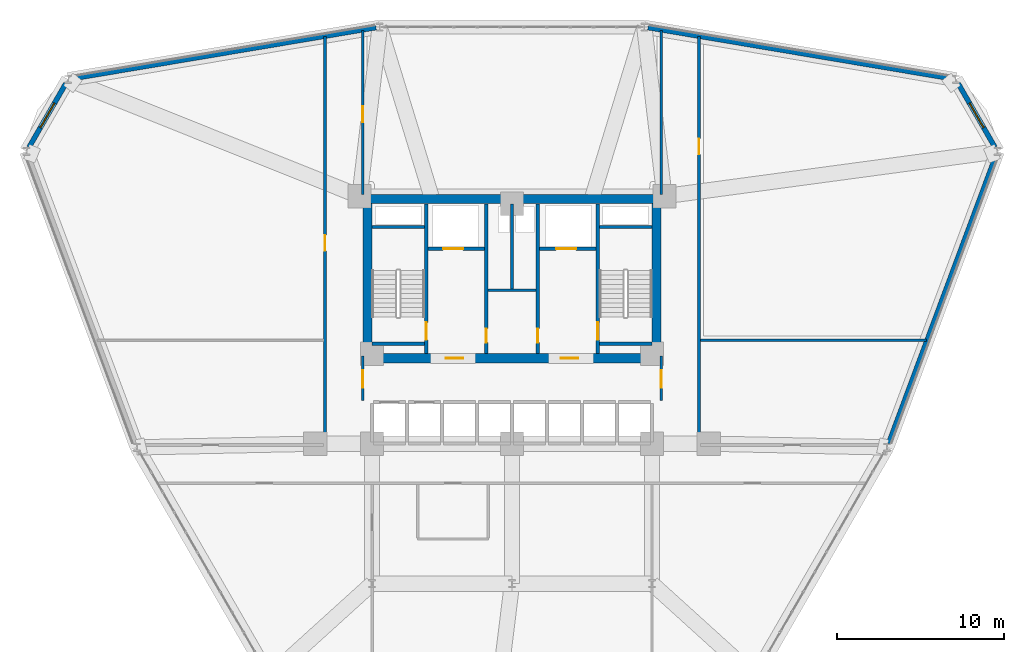
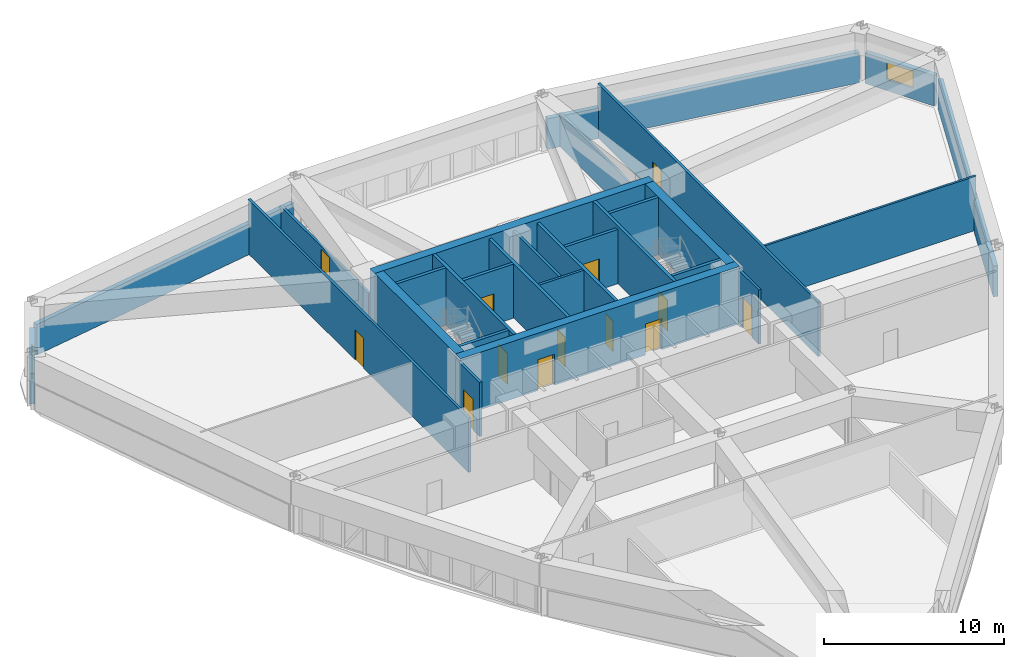
# One storey, part 16 of 20: 28 walls, 13 doors, 2 windows, 15 openings.
"""IFC4 building model written with IfcOpenShell, lengths in metres."""

import ifcopenshell
import ifcopenshell.guid

model = None  # the IFC model being written
_history = None  # IfcOwnerHistory: only IFC2X3 demands one
_inside = {}  # id of a spatial element -> (the spatial element, [elements in it])
_under = {}  # id of a project, library or spatial element -> (it, [spatial elements below it])
_declared = {}  # id of a project -> (the project, [libraries it declares])
_typed = {}  # id of a type object -> (the type object, [elements of that type])
_made_of = {}  # id of a material, layer set ... -> (it, [elements and type objects made of it])


def new_model(schema):
    """Start an empty IFC model of exactly this schema.

    Asked for "IFC4X3", IfcOpenShell would pick the latest addendum, in which some entities
    have other attributes; the version numbers below select the first issue.
    IFC2X3 requires an IfcOwnerHistory on every rooted entity: one is made here for all.
    """
    global model, _history
    if schema == "IFC4X3":
        model = ifcopenshell.file(schema_version=(4, 3, 0, 0))
    else:
        model = ifcopenshell.file(schema=schema)
    _inside.clear()
    _under.clear()
    _declared.clear()
    _typed.clear()
    _made_of.clear()
    _history = None
    if model.schema == "IFC2X3":
        org = make("IfcOrganization", Name="unknown")
        user = make(
            "IfcPersonAndOrganization",
            ThePerson=make("IfcPerson", FamilyName="unknown"),
            TheOrganization=org,
        )
        app = make(
            "IfcApplication",
            ApplicationDeveloper=org,
            Version="unknown",
            ApplicationFullName="unknown",
            ApplicationIdentifier="unknown",
        )
        _history = make(
            "IfcOwnerHistory",
            OwningUser=user,
            OwningApplication=app,
            ChangeAction="ADDED",
            CreationDate=0,
        )
    return model


def make(cls, **values):
    """One entity of the class cls with the attributes given. An attribute that is None is left unset."""
    return model.create_entity(
        cls, **{name: value for name, value in values.items() if value is not None}
    )


def rooted(cls, **values):
    """An entity with a GlobalId (a new one), such as an element, a storey or a relation."""
    return make(cls, GlobalId=ifcopenshell.guid.new(), OwnerHistory=_history, **values)


def si_unit(unit_type, name, prefix=None):
    """IfcSIUnit, for example si_unit("LENGTHUNIT", "METRE", prefix="MILLI")."""
    return make("IfcSIUnit", UnitType=unit_type, Prefix=prefix, Name=name)


def derived_unit(unit_type, elements):
    """IfcDerivedUnit: a product of units, each with its exponent."""
    return make(
        "IfcDerivedUnit",
        Elements=[
            make("IfcDerivedUnitElement", Unit=unit, Exponent=power)
            for unit, power in elements
        ],
        UnitType=unit_type,
    )


def assignment(units):
    """IfcUnitAssignment: the units of a project."""
    return None if units is None else make("IfcUnitAssignment", Units=units)


def point(xyz):
    """IfcCartesianPoint."""
    return None if xyz is None else make("IfcCartesianPoint", Coordinates=xyz)


def direction(xyz):
    """IfcDirection."""
    return None if xyz is None else make("IfcDirection", DirectionRatios=xyz)


def frame(location, z_axis=None, x_axis=None):
    """IfcAxis2Placement3D, a coordinate frame: its origin and axes. An axis left out is left unset."""
    return make(
        "IfcAxis2Placement3D",
        Location=point(location),
        Axis=direction(z_axis),
        RefDirection=direction(x_axis),
    )


def frame_2d(location, x_axis=None):
    """IfcAxis2Placement2D, a coordinate frame in the plane: its origin and x axis."""
    return make(
        "IfcAxis2Placement2D", Location=point(location), RefDirection=direction(x_axis)
    )


def origin():
    """The frame at (0, 0, 0) with its axes left unset."""
    return frame((0.0, 0.0, 0.0))


def place(relative_to, where):
    """IfcLocalPlacement: puts the frame where relative to a parent placement (None: the world)."""
    return make(
        "IfcLocalPlacement", PlacementRelTo=relative_to, RelativePlacement=where
    )


def context(
    kind, dimensions, precision=None, world=None, true_north=None, identifier=None
):
    """IfcGeometricRepresentationContext, for example the 3D "Model" context."""
    return make(
        "IfcGeometricRepresentationContext",
        ContextIdentifier=identifier,
        ContextType=kind,
        CoordinateSpaceDimension=dimensions,
        Precision=precision,
        WorldCoordinateSystem=world,
        TrueNorth=true_north,
    )


def subcontext(parent, identifier, kind, view, scale=None):
    """IfcGeometricRepresentationSubContext, for example "Body" below "Model"."""
    return make(
        "IfcGeometricRepresentationSubContext",
        ContextIdentifier=identifier,
        ContextType=kind,
        ParentContext=parent,
        TargetScale=scale,
        TargetView=view,
    )


def project(units=None, contexts=None):
    """IfcProject with its units and contexts."""
    return rooted(
        "IfcProject",
        Name="project",
        RepresentationContexts=contexts,
        UnitsInContext=assignment(units),
    )


def spatial(cls, under=None, at=None, **own):
    """A site, building, storey or space (cls), placed at a placement, below another one or the project."""
    s = rooted(cls, ObjectPlacement=at, **own)
    if under is not None:
        _under.setdefault(under.id(), (under, []))[1].append(s)
    return s


def profile(cls, at=None, kind="AREA", **sizes):
    """A parametric profile (cls). Its sizes go by their IFC names, for example OverallWidth=200.0."""
    return make(cls, ProfileType=kind, Position=at, **sizes)


def rectangle(**sizes):
    """IfcRectangleProfileDef."""
    return profile("IfcRectangleProfileDef", **sizes)


def extrude(swept, where, along, depth):
    """IfcExtrudedAreaSolid: the profile swept, set in the frame where, extruded along a direction by depth."""
    return make(
        "IfcExtrudedAreaSolid",
        SweptArea=swept,
        Position=where,
        ExtrudedDirection=direction(along),
        Depth=depth,
    )


def shape(context_of_items, identifier, shape_type, items):
    """IfcShapeRepresentation: the items that make up one representation, for example the "Body"."""
    return make(
        "IfcShapeRepresentation",
        ContextOfItems=context_of_items,
        RepresentationIdentifier=identifier,
        RepresentationType=shape_type,
        Items=items,
    )


def material(Name=None, Category=None):
    """IfcMaterial."""
    return make("IfcMaterial", Name=Name, Category=Category)


def layer(
    of_material, thickness, ventilated=None, Name=None, Category=None, Priority=None
):
    """IfcMaterialLayer: one layer of a wall or slab, of a material (None: an air gap)."""
    return make(
        "IfcMaterialLayer",
        Material=of_material,
        LayerThickness=thickness,
        IsVentilated=ventilated,
        Name=Name,
        Category=Category,
        Priority=Priority,
    )


def layer_set(layers, Name=None):
    """IfcMaterialLayerSet."""
    return make("IfcMaterialLayerSet", MaterialLayers=layers, LayerSetName=Name)


def made_of(thing, what):
    """Note that an element or type object is made of a material, layer set ...; save() writes the relation."""
    if what is not None:
        _made_of.setdefault(what.id(), (what, []))[1].append(thing)
    return thing


def type_object(cls, material=None, **own):
    """A type object (cls), such as IfcWallType, which elements share."""
    return made_of(rooted(cls, **own), material)


def element(
    cls,
    number,
    at=None,
    inside=None,
    cuts=None,
    type_object=None,
    material=None,
    context=None,
    identifier="Body",
    shape_type=None,
    held_by="IfcProductDefinitionShape",
    body=None,
    shapes=None,
    **own,
):
    """One element of the class cls, such as IfcWall. Its Tag is "e" and its number.

    at: its placement. inside: the storey or other place that contains it. cuts: it is an
    opening in that element (IfcRelVoidsElement). A single representation is given by context,
    identifier, shape_type and body (its items); several are given by shapes. held_by: the class
    of the entity that holds the representations. save() writes the other relations.
    """
    e = rooted(cls, Tag="e%d" % number, ObjectPlacement=at, **own)
    if body is not None:
        shapes = [shape(context, identifier, shape_type, body)]
    if shapes is not None:
        e.Representation = make(held_by, Representations=shapes)
    if inside is not None:
        _inside.setdefault(inside.id(), (inside, []))[1].append(e)
    if cuts is not None:
        rooted(
            "IfcRelVoidsElement", RelatingBuildingElement=cuts, RelatedOpeningElement=e
        )
    if type_object is not None:
        _typed.setdefault(type_object.id(), (type_object, []))[1].append(e)
    return made_of(e, material)


def fill(opening, filler):
    """IfcRelFillsElement: the door or window that sits in an opening."""
    return rooted(
        "IfcRelFillsElement",
        RelatingOpeningElement=opening,
        RelatedBuildingElement=filler,
    )


def aggregate(whole, parts):
    """IfcRelAggregates: a whole, such as a stair, and the parts it consists of."""
    return rooted("IfcRelAggregates", RelatingObject=whole, RelatedObjects=parts)


def save(model, path):
    """Write the relations noted so far, then the file.

    IfcRelAggregates (storeys below a building ...), IfcRelContainedInSpatialStructure (elements
    in a storey), IfcRelDefinesByType, IfcRelAssociatesMaterial and IfcRelDeclares: one each for
    every whole, place, type object, material and project.
    """
    for whole, parts in _under.values():
        aggregate(whole, parts)
    for where, things in _inside.values():
        rooted(
            "IfcRelContainedInSpatialStructure",
            RelatedElements=things,
            RelatingStructure=where,
        )
    for kind, things in _typed.values():
        rooted("IfcRelDefinesByType", RelatedObjects=things, RelatingType=kind)
    for what, things in _made_of.values():
        rooted("IfcRelAssociatesMaterial", RelatedObjects=things, RelatingMaterial=what)
    for by, libraries in _declared.values():
        rooted("IfcRelDeclares", RelatingContext=by, RelatedDefinitions=libraries)
    model.write(path)


model = new_model("IFC4")

# Units and contexts
model_context = context("Model", 3, precision=1e-05, world=origin(), true_north=direction((0.0, 1.0)))
body_context = subcontext(model_context, "Body", "Model", "MODEL_VIEW")
ifc_project = project(units=[si_unit("LENGTHUNIT", "METRE"), si_unit("AREAUNIT", "SQUARE_METRE"), si_unit("VOLUMEUNIT", "CUBIC_METRE"), si_unit("PLANEANGLEUNIT", "RADIAN"), si_unit("MASSUNIT", "GRAM", prefix="KILO"), derived_unit("THERMALTRANSMITTANCEUNIT", [(si_unit("POWERUNIT", "WATT"), 1), (si_unit("LENGTHUNIT", "METRE"), -2), (si_unit("THERMODYNAMICTEMPERATUREUNIT", "KELVIN"), -1)])], contexts=[model_context])

# Site, building, storey
site_placement = place(None, origin())
site = spatial("IfcSite", under=ifc_project, at=site_placement, CompositionType="ELEMENT")
building_placement = place(site_placement, origin())
building = spatial("IfcBuilding", under=site, at=building_placement, Name="Korsvarv Bourse and Concert Hall", CompositionType="ELEMENT")
storey_placement = place(building_placement, frame((0.0, 0.0, 43.5)))
storey = spatial("IfcBuildingStorey", under=building, at=storey_placement, Name="L10", CompositionType="ELEMENT", Elevation=43.5)

# Wall, opening, door
ifc_material_1 = material(Name="Concrete C50/60", Category="concrete")
ifc_layer_1 = layer(ifc_material_1, 0.3798828125)
ifc_layer_set_1 = layer_set([ifc_layer_1], Name="Concrete C50/60")
wall_type_1 = type_object("IfcWallType", Name="WL-CORE-380", PredefinedType="SHEAR", material=ifc_layer_set_1)
wall_1_placement = place(storey_placement, frame((30.860107421875, 37.81005859375, 0.0), z_axis=(0.0, 0.0, 1.0), x_axis=(0.0, 1.0, 0.0)))
wall_1 = element("IfcWall", 1, at=wall_1_placement, inside=storey, type_object=wall_type_1, Name="L10 stair shaft structural wall W-L10-ST1-E", PredefinedType="SHEAR", context=body_context, shape_type="SweptSolid", body=[
    extrude(rectangle(XDim=8.97998046875, YDim=0.199951171875, at=frame_2d((4.489990234375, 0.0))), origin(), (0.0, 0.0, 1.0), 3.89990234375),
])
opening_1_placement = place(wall_1_placement, frame((0.820068359375, 0.0, 0.0)))
opening_1 = element("IfcOpeningElement", 2, at=opening_1_placement, cuts=wall_1, Name="Opening D-01", PredefinedType="OPENING", context=body_context, shape_type="SweptSolid", body=[
    extrude(rectangle(XDim=1.050048828125, YDim=2.10009765625, at=frame_2d((0.52490234375, 1.050048828125))), frame((0.0, 0.10986328125, 0.0), z_axis=(0.0, -1.0, 0.0), x_axis=(1.0, 0.0, 0.0)), (0.0, 0.0, 1.0), 0.219970703125),
])
ifc_material_2 = material(Name="Steel S355 fire door", Category="steel")
door_type_1 = type_object("IfcDoorType", Name="DR-FD60", OperationType="NOTDEFINED", PredefinedType="DOOR", material=ifc_material_2)
door_1_placement = place(opening_1_placement, origin())
door_1 = element("IfcDoor", 3, at=door_1_placement, inside=storey, type_object=door_type_1, Name="L10 interior door DR-L10-ST1", OperationType="SINGLE_SWING_RIGHT", OverallHeight=2.10009765625, OverallWidth=1.050048828125, PredefinedType="DOOR", context=body_context, shape_type="SweptSolid", body=[
    extrude(rectangle(XDim=1.050048828125, YDim=2.10009765625, at=frame_2d((0.52490234375, 1.050048828125))), frame((0.0, 0.02490234375, 0.0), z_axis=(0.0, -1.0, 0.0), x_axis=(1.0, 0.0, 0.0)), (0.0, 0.0, 1.0), 0.050048828125),
])
fill(opening_1, door_1)

# Walls
for number, where, z_axis, x_axis, name in (
    (4, (27.610107421875, 45.39990234375, 0.0), (0.0, 0.0, 1.0), (1.0, 0.0, 0.0), "L10 stair shaft structural wall W-L10-ST1-N"),
    (5, (27.610107421875, 38.39990234375, 0.0), (0.0, 0.0, 1.0), (1.0, 0.0, 0.0), "L10 stair shaft structural wall W-L10-ST1-S"),
):
    element("IfcWall", number, at=place(storey_placement, frame(where, z_axis=z_axis, x_axis=x_axis)), inside=storey, type_object=wall_type_1, Name=name, PredefinedType="SHEAR", context=body_context, shape_type="SweptSolid", body=[
        extrude(rectangle(XDim=3.139892578125, YDim=0.199951171875, at=frame_2d((1.56982421875, 0.0))), origin(), (0.0, 0.0, 1.0), 3.89990234375),
    ])

# Wall, opening, door
wall_2_placement = place(storey_placement, frame((41.139892578125, 37.81005859375, 0.0), z_axis=(0.0, 0.0, 1.0), x_axis=(0.0, 1.0, 0.0)))
wall_2 = element("IfcWall", 6, at=wall_2_placement, inside=storey, type_object=wall_type_1, Name="L10 stair shaft structural wall W-L10-ST2-W", PredefinedType="SHEAR", context=body_context, shape_type="SweptSolid", body=[
    extrude(rectangle(XDim=8.97998046875, YDim=0.199951171875, at=frame_2d((4.489990234375, 0.0))), origin(), (0.0, 0.0, 1.0), 3.89990234375),
])
opening_2_placement = place(wall_2_placement, frame((0.820068359375, 0.0, 0.0)))
opening_2 = element("IfcOpeningElement", 7, at=opening_2_placement, cuts=wall_2, Name="Opening D-01", PredefinedType="OPENING", context=body_context, shape_type="SweptSolid", body=[
    extrude(rectangle(XDim=1.050048828125, YDim=2.10009765625, at=frame_2d((0.52490234375, 1.050048828125))), frame((0.0, 0.10986328125, 0.0), z_axis=(0.0, -1.0, 0.0), x_axis=(1.0, 0.0, 0.0)), (0.0, 0.0, 1.0), 0.219970703125),
])
door_2_placement = place(opening_2_placement, frame((1.050048828125, 0.0, 0.0), z_axis=(0.0, 0.0, 1.0), x_axis=(-1.0, 0.0, 0.0)))
door_2 = element("IfcDoor", 8, at=door_2_placement, inside=storey, type_object=door_type_1, Name="L10 interior door DR-L10-ST2", OperationType="SINGLE_SWING_LEFT", OverallHeight=2.10009765625, OverallWidth=1.050048828125, PredefinedType="DOOR", context=body_context, shape_type="SweptSolid", body=[
    extrude(rectangle(XDim=1.050048828125, YDim=2.10009765625, at=frame_2d((0.52490234375, 1.050048828125))), frame((0.0, 0.02490234375, 0.0), z_axis=(0.0, -1.0, 0.0), x_axis=(1.0, 0.0, 0.0)), (0.0, 0.0, 1.0), 0.050048828125),
])
fill(opening_2, door_2)

# Walls
for number, where, z_axis, x_axis, name in (
    (9, (41.25, 45.39990234375, 0.0), (0.0, 0.0, 1.0), (1.0, 0.0, 0.0), "L10 stair shaft structural wall W-L10-ST2-N"),
    (10, (41.25, 38.39990234375, 0.0), (0.0, 0.0, 1.0), (1.0, 0.0, 0.0), "L10 stair shaft structural wall W-L10-ST2-S"),
):
    element("IfcWall", number, at=place(storey_placement, frame(where, z_axis=z_axis, x_axis=x_axis)), inside=storey, type_object=wall_type_1, Name=name, PredefinedType="SHEAR", context=body_context, shape_type="SweptSolid", body=[
        extrude(rectangle(XDim=3.139892578125, YDim=0.199951171875, at=frame_2d((1.56982421875, 0.0))), origin(), (0.0, 0.0, 1.0), 3.89990234375),
    ])
ifc_material_3 = material(Name="Concrete C60/75", Category="concrete")
ifc_layer_2 = layer(ifc_material_3, 0.550048828125)
ifc_layer_set_2 = layer_set([ifc_layer_2], Name="Concrete C60/75")
wall_type_2 = type_object("IfcWallType", Name="WL-CORE-550", PredefinedType="SHEAR", material=ifc_layer_set_2)
wall_3_placement = place(storey_placement, frame((27.050048828125, 47.074951171875, 0.0), z_axis=(0.0, 0.0, 1.0), x_axis=(1.0, 0.0, 0.0)))
element("IfcWall", 11, at=wall_3_placement, inside=storey, type_object=wall_type_2, Name="L10 North Core Shear Wall", PredefinedType="SHEAR", context=body_context, shape_type="SweptSolid", body=[
    extrude(rectangle(XDim=17.89990234375, YDim=0.550048828125, at=frame_2d((8.949951171875, 0.0))), origin(), (0.0, 0.0, 1.0), 3.89990234375),
])

# Wall, openings, doors
wall_4_placement = place(storey_placement, frame((27.050048828125, 37.52490234375, 0.0), z_axis=(0.0, 0.0, 1.0), x_axis=(1.0, 0.0, 0.0)))
wall_4 = element("IfcWall", 12, at=wall_4_placement, inside=storey, type_object=wall_type_2, Name="L10 South Core Shear Wall", PredefinedType="SHEAR", context=body_context, shape_type="SweptSolid", body=[
    extrude(rectangle(XDim=17.89990234375, YDim=0.550048828125, at=frame_2d((8.949951171875, 0.0))), origin(), (0.0, 0.0, 1.0), 3.89990234375),
])
opening_3_placement = place(wall_4_placement, frame((4.97509765625, 0.0, 0.0)))
opening_3 = element("IfcOpeningElement", 13, at=opening_3_placement, cuts=wall_4, Name="Opening D-01", PredefinedType="OPENING", context=body_context, shape_type="SweptSolid", body=[
    extrude(rectangle(XDim=1.050048828125, YDim=2.10009765625, at=frame_2d((0.52490234375, 1.050048828125))), frame((0.0, 0.28515625, 0.0), z_axis=(0.0, -1.0, 0.0), x_axis=(1.0, 0.0, 0.0)), (0.0, 0.0, 1.0), 0.570068359375),
])
opening_4_placement = place(wall_4_placement, frame((11.875, 0.0, 0.0)))
opening_4 = element("IfcOpeningElement", 14, at=opening_4_placement, cuts=wall_4, Name="Opening D-01", PredefinedType="OPENING", context=body_context, shape_type="SweptSolid", body=[
    extrude(rectangle(XDim=1.050048828125, YDim=2.10009765625, at=frame_2d((0.52490234375, 1.050048828125))), frame((0.0, 0.28515625, 0.0), z_axis=(0.0, -1.0, 0.0), x_axis=(1.0, 0.0, 0.0)), (0.0, 0.0, 1.0), 0.570068359375),
])
door_3_placement = place(opening_3_placement, frame((1.050048828125, 0.0, 0.0), z_axis=(0.0, 0.0, 1.0), x_axis=(-1.0, 0.0, 0.0)))
door_3 = element("IfcDoor", 15, at=door_3_placement, inside=storey, type_object=door_type_1, Name="L10 firefighting lobby fire door DR-L10-FFLW", OperationType="SINGLE_SWING_RIGHT", OverallHeight=2.10009765625, OverallWidth=1.050048828125, PredefinedType="DOOR", context=body_context, shape_type="SweptSolid", body=[
    extrude(rectangle(XDim=1.050048828125, YDim=2.10009765625, at=frame_2d((0.52490234375, 1.050048828125))), frame((0.0, 0.02490234375, 0.0), z_axis=(0.0, -1.0, 0.0), x_axis=(1.0, 0.0, 0.0)), (0.0, 0.0, 1.0), 0.050048828125),
])
fill(opening_3, door_3)
door_4_placement = place(opening_4_placement, frame((1.050048828125, 0.0, 0.0), z_axis=(0.0, 0.0, 1.0), x_axis=(-1.0, 0.0, 0.0)))
door_4 = element("IfcDoor", 16, at=door_4_placement, inside=storey, type_object=door_type_1, Name="L10 firefighting lobby fire door DR-L10-FFLE", OperationType="SINGLE_SWING_LEFT", OverallHeight=2.10009765625, OverallWidth=1.050048828125, PredefinedType="DOOR", context=body_context, shape_type="SweptSolid", body=[
    extrude(rectangle(XDim=1.050048828125, YDim=2.10009765625, at=frame_2d((0.52490234375, 1.050048828125))), frame((0.0, 0.02490234375, 0.0), z_axis=(0.0, -1.0, 0.0), x_axis=(1.0, 0.0, 0.0)), (0.0, 0.0, 1.0), 0.050048828125),
])
fill(opening_4, door_4)

# Walls
for number, where, z_axis, x_axis, name in (
    (17, (27.324951171875, 37.800048828125, 0.0), (0.0, 0.0, 1.0), (0.0, 1.0, 0.0), "L10 West Core Shear Wall"),
    (18, (44.675048828125, 37.800048828125, 0.0), (0.0, 0.0, 1.0), (0.0, 1.0, 0.0), "L10 East Core Shear Wall"),
):
    element("IfcWall", number, at=place(storey_placement, frame(where, z_axis=z_axis, x_axis=x_axis)), inside=storey, type_object=wall_type_2, Name=name, PredefinedType="SHEAR", context=body_context, shape_type="SweptSolid", body=[
        extrude(rectangle(XDim=9.0, YDim=0.550048828125, at=frame_2d((4.5, 0.0))), origin(), (0.0, 0.0, 1.0), 3.89990234375),
    ])

# Wall, opening, window
ifc_material_4 = material(Name="Precast concrete C45/55 with terracotta rainscreen", Category="concrete")
ifc_layer_3 = layer(ifc_material_4, 0.300048828125)
ifc_layer_set_3 = layer_set([ifc_layer_3], Name="Precast concrete C45/55 with terracotta rainscreen")
wall_type_3 = type_object("IfcWallType", Name="WL-EXT-TC1", PredefinedType="SOLIDWALL", material=ifc_layer_set_3)
wall_5_placement = place(storey_placement, frame((64.990234375, 50.181640625, 0.0), z_axis=(0.0, 0.0, 1.0), x_axis=(-0.499994569991, 0.866028538779, 0.0)))
wall_5 = element("IfcWall", 19, at=wall_5_placement, inside=storey, type_object=wall_type_3, Name="L10 terracotta exterior wall EW-L10-B01", PredefinedType="SOLIDWALL", context=body_context, shape_type="SweptSolid", body=[
    extrude(rectangle(XDim=4.4267578125, YDim=0.300048828125, at=frame_2d((2.21337890625, 0.0))), origin(), (0.0, 0.0, 1.0), 2.080078125),
])
opening_5_placement = place(wall_5_placement, frame((1.36328125, 0.0, 0.75)))
opening_5 = element("IfcOpeningElement", 20, at=opening_5_placement, cuts=wall_5, Name="Opening W-06", PredefinedType="OPENING", context=body_context, shape_type="SweptSolid", body=[
    extrude(rectangle(XDim=1.699951171875, YDim=1.14990234375, at=frame_2d((0.85009765625, 0.574951171875))), frame((0.0, 0.16015625, 0.0), z_axis=(0.0, -1.0, 0.0), x_axis=(1.0, 0.0, 0.0)), (0.0, 0.0, 1.0), 0.320068359375),
])
ifc_material_5 = material(Name="Thermally broken aluminium frame with triple low-E glass", Category="glass")
window_type = type_object("IfcWindowType", Name="WIN-TW1-1700X1150", PartitioningType="SINGLE_PANEL", PredefinedType="WINDOW", material=ifc_material_5)
window_1_placement = place(opening_5_placement, origin())
window_1 = element("IfcWindow", 21, at=window_1_placement, inside=storey, type_object=window_type, Name="L10 punched facade window W-06", OverallHeight=1.14990234375, OverallWidth=1.699951171875, PartitioningType="SINGLE_PANEL", PredefinedType="WINDOW", context=body_context, shape_type="SweptSolid", body=[
    extrude(rectangle(XDim=1.699951171875, YDim=1.14990234375, at=frame_2d((0.85009765625, 0.574951171875))), frame((0.0, 0.030029296875, 0.0), z_axis=(0.0, -1.0, 0.0), x_axis=(1.0, 0.0, 0.0)), (0.0, 0.0, 1.0), 0.06005859375),
])
fill(opening_5, window_1)

wall_6_placement = place(storey_placement, frame((9.22314453125, 54.015380859375, 0.0), z_axis=(0.0, 0.0, 1.0), x_axis=(-0.499994569991, -0.866028538779, 0.0)))
wall_6 = element("IfcWall", 22, at=wall_6_placement, inside=storey, type_object=wall_type_3, Name="L10 terracotta exterior wall EW-L10-B05", PredefinedType="SOLIDWALL", context=body_context, shape_type="SweptSolid", body=[
    extrude(rectangle(XDim=4.4267578125, YDim=0.300048828125, at=frame_2d((2.21337890625, 0.0))), origin(), (0.0, 0.0, 1.0), 2.080078125),
])
opening_6_placement = place(wall_6_placement, frame((1.36328125, 0.0, 0.75)))
opening_6 = element("IfcOpeningElement", 23, at=opening_6_placement, cuts=wall_6, Name="Opening W-06", PredefinedType="OPENING", context=body_context, shape_type="SweptSolid", body=[
    extrude(rectangle(XDim=1.699951171875, YDim=1.14990234375, at=frame_2d((0.85009765625, 0.574951171875))), frame((0.0, 0.16015625, 0.0), z_axis=(0.0, -1.0, 0.0), x_axis=(1.0, 0.0, 0.0)), (0.0, 0.0, 1.0), 0.320068359375),
])
window_2_placement = place(opening_6_placement, origin())
window_2 = element("IfcWindow", 24, at=window_2_placement, inside=storey, type_object=window_type, Name="L10 punched facade window W-06", OverallHeight=1.14990234375, OverallWidth=1.699951171875, PartitioningType="SINGLE_PANEL", PredefinedType="WINDOW", context=body_context, shape_type="SweptSolid", body=[
    extrude(rectangle(XDim=1.699951171875, YDim=1.14990234375, at=frame_2d((0.85009765625, 0.574951171875))), frame((0.0, 0.030029296875, 0.0), z_axis=(0.0, -1.0, 0.0), x_axis=(1.0, 0.0, 0.0)), (0.0, 0.0, 1.0), 0.06005859375),
])
fill(opening_6, window_2)

# Walls
ifc_material_6 = material(Name="Precast concrete C45/55 with fluted terracotta pier", Category="concrete")
ifc_layer_4 = layer(ifc_material_6, 0.280029296875)
ifc_layer_set_4 = layer_set([ifc_layer_4], Name="Precast concrete C45/55 with fluted terracotta pier")
wall_type_4 = type_object("IfcWallType", Name="WL-EXT-TC2", PredefinedType="SOLIDWALL", material=ifc_layer_set_4)
for number, where, z_axis, x_axis, name in (
    (25, (62.420166015625, 54.2939453125, 0.0), (0.0, 0.0, 1.0), (-0.986153073874, 0.165837616025, 0.0), "L10 terracotta exterior wall EW-L10-B02"),
    (26, (27.841796875, 57.364990234375, 0.0), (0.0, 0.0, 1.0), (-0.986153073874, -0.165837616025, 0.0), "L10 terracotta exterior wall EW-L10-B04"),
):
    element("IfcWall", number, at=place(storey_placement, frame(where, z_axis=z_axis, x_axis=x_axis)), inside=storey, type_object=wall_type_4, Name=name, PredefinedType="SOLIDWALL", context=body_context, shape_type="SweptSolid", body=[
        extrude(rectangle(XDim=18.518310546875, YDim=0.280029296875, at=frame_2d((9.25927734375, 0.0))), origin(), (0.0, 0.0, 1.0), 2.080078125),
    ])
wall_7_placement = place(storey_placement, frame((58.59521484375, 32.41845703125, 0.0), z_axis=(0.0, 0.0, 1.0), x_axis=(0.349439969545, 0.936958754527, 0.0)))
element("IfcWall", 27, at=wall_7_placement, inside=storey, type_object=wall_type_4, Name="L10 terracotta exterior wall EW-L10-B12", PredefinedType="SOLIDWALL", context=body_context, shape_type="SweptSolid", body=[
    extrude(rectangle(XDim=18.44189453125, YDim=0.280029296875, at=frame_2d((9.220947265625, 0.0))), origin(), (0.0, 0.0, 1.0), 2.080078125),
])

# Wall, opening, door
ifc_material_7 = material(Name="Reinforced concrete blockwork C35/45 fire wall", Category="concrete")
ifc_layer_5 = layer(ifc_material_7, 0.199951171875)
ifc_layer_set_5 = layer_set([ifc_layer_5], Name="Reinforced concrete blockwork C35/45 fire wall")
wall_type_5 = type_object("IfcWallType", Name="WL-INT-EI120", PredefinedType="PARTITIONING", material=ifc_layer_set_5)
wall_8_placement = place(storey_placement, frame((30.969970703125, 44.10009765625, 0.0), z_axis=(0.0, 0.0, 1.0), x_axis=(1.0, 0.0, 0.0)))
wall_8 = element("IfcWall", 28, at=wall_8_placement, inside=storey, type_object=wall_type_5, Name="L10 interior partition wall W-L10-FF1-S", PredefinedType="PARTITIONING", context=body_context, shape_type="SweptSolid", body=[
    extrude(rectangle(XDim=3.380126953125, YDim=0.199951171875, at=frame_2d((1.68994140625, 0.0))), origin(), (0.0, 0.0, 1.0), 3.679931640625),
])
opening_7_placement = place(wall_8_placement, frame((0.89990234375, 0.0, 0.0)))
opening_7 = element("IfcOpeningElement", 29, at=opening_7_placement, cuts=wall_8, Name="Opening LD-1", PredefinedType="OPENING", context=body_context, shape_type="SweptSolid", body=[
    extrude(rectangle(XDim=1.199951171875, YDim=2.10009765625, at=frame_2d((0.60009765625, 1.050048828125))), frame((0.0, 0.10986328125, 0.0), z_axis=(0.0, -1.0, 0.0), x_axis=(1.0, 0.0, 0.0)), (0.0, 0.0, 1.0), 0.219970703125),
])
ifc_material_8 = material(Name="Stainless Steel S355 firefighting lift landing door", Category="steel")
door_type_2 = type_object("IfcDoorType", Name="DR-LIFT-FF", OperationType="DOUBLE_DOOR_SLIDING", PredefinedType="DOOR", material=ifc_material_8)
door_5_placement = place(opening_7_placement, origin())
door_5 = element("IfcDoor", 30, at=door_5_placement, inside=storey, type_object=door_type_2, Name="L10 lift sliding landing door LD-L10-FF1", OperationType="DOUBLE_DOOR_SLIDING", OverallHeight=2.10009765625, OverallWidth=1.199951171875, PredefinedType="DOOR", context=body_context, shape_type="SweptSolid", body=[
    extrude(rectangle(XDim=1.199951171875, YDim=2.10009765625, at=frame_2d((0.60009765625, 1.050048828125))), frame((0.0, 0.02490234375, 0.0), z_axis=(0.0, -1.0, 0.0), x_axis=(1.0, 0.0, 0.0)), (0.0, 0.0, 1.0), 0.050048828125),
])
fill(opening_7, door_5)

wall_9_placement = place(storey_placement, frame((37.64990234375, 44.10009765625, 0.0), z_axis=(0.0, 0.0, 1.0), x_axis=(1.0, 0.0, 0.0)))
wall_9 = element("IfcWall", 31, at=wall_9_placement, inside=storey, type_object=wall_type_5, Name="L10 interior partition wall W-L10-FF2-S", PredefinedType="PARTITIONING", context=body_context, shape_type="SweptSolid", body=[
    extrude(rectangle(XDim=3.380126953125, YDim=0.199951171875, at=frame_2d((1.68994140625, 0.0))), origin(), (0.0, 0.0, 1.0), 3.679931640625),
])
opening_8_placement = place(wall_9_placement, frame((1.0, 0.0, 0.0)))
opening_8 = element("IfcOpeningElement", 32, at=opening_8_placement, cuts=wall_9, Name="Opening LD-1", PredefinedType="OPENING", context=body_context, shape_type="SweptSolid", body=[
    extrude(rectangle(XDim=1.199951171875, YDim=2.10009765625, at=frame_2d((0.60009765625, 1.050048828125))), frame((0.0, 0.10986328125, 0.0), z_axis=(0.0, -1.0, 0.0), x_axis=(1.0, 0.0, 0.0)), (0.0, 0.0, 1.0), 0.219970703125),
])
door_6_placement = place(opening_8_placement, origin())
door_6 = element("IfcDoor", 33, at=door_6_placement, inside=storey, type_object=door_type_2, Name="L10 lift sliding landing door LD-L10-FF2", OperationType="DOUBLE_DOOR_SLIDING", OverallHeight=2.10009765625, OverallWidth=1.199951171875, PredefinedType="DOOR", context=body_context, shape_type="SweptSolid", body=[
    extrude(rectangle(XDim=1.199951171875, YDim=2.10009765625, at=frame_2d((0.60009765625, 1.050048828125))), frame((0.0, 0.02490234375, 0.0), z_axis=(0.0, -1.0, 0.0), x_axis=(1.0, 0.0, 0.0)), (0.0, 0.0, 1.0), 0.050048828125),
])
fill(opening_8, door_6)

wall_10_placement = place(storey_placement, frame((34.4599609375, 37.81005859375, 0.0), z_axis=(0.0, 0.0, 1.0), x_axis=(0.0, 1.0, 0.0)))
wall_10 = element("IfcWall", 34, at=wall_10_placement, inside=storey, type_object=wall_type_5, Name="L10 interior partition wall W-L10-CSB-W", PredefinedType="PARTITIONING", context=body_context, shape_type="SweptSolid", body=[
    extrude(rectangle(XDim=8.97998046875, YDim=0.199951171875, at=frame_2d((4.489990234375, 0.0))), origin(), (0.0, 0.0, 1.0), 3.679931640625),
])
opening_9_placement = place(wall_10_placement, frame((0.64990234375, 0.0, 0.0)))
opening_9 = element("IfcOpeningElement", 35, at=opening_9_placement, cuts=wall_10, Name="Opening D-05", PredefinedType="OPENING", context=body_context, shape_type="SweptSolid", body=[
    extrude(rectangle(XDim=0.85009765625, YDim=2.050048828125, at=frame_2d((0.425048828125, 1.02490234375))), frame((0.0, 0.10986328125, 0.0), z_axis=(0.0, -1.0, 0.0), x_axis=(1.0, 0.0, 0.0)), (0.0, 0.0, 1.0), 0.219970703125),
])
door_type_3 = type_object("IfcDoorType", Name="DR-FD60-850X2050", OperationType="NOTDEFINED", PredefinedType="DOOR", material=ifc_material_2)
door_7_placement = place(opening_9_placement, frame((0.85009765625, 0.0, 0.0), z_axis=(0.0, 0.0, 1.0), x_axis=(-1.0, 0.0, 0.0)))
door_7 = element("IfcDoor", 36, at=door_7_placement, inside=storey, type_object=door_type_3, Name="L10 interior door DR-L10-CSB1", OperationType="SINGLE_SWING_RIGHT", OverallHeight=2.050048828125, OverallWidth=0.85009765625, PredefinedType="DOOR", context=body_context, shape_type="SweptSolid", body=[
    extrude(rectangle(XDim=0.85009765625, YDim=2.050048828125, at=frame_2d((0.425048828125, 1.02490234375))), frame((0.0, 0.02490234375, 0.0), z_axis=(0.0, -1.0, 0.0), x_axis=(1.0, 0.0, 0.0)), (0.0, 0.0, 1.0), 0.050048828125),
])
fill(opening_9, door_7)

wall_11_placement = place(storey_placement, frame((37.5400390625, 37.81005859375, 0.0), z_axis=(0.0, 0.0, 1.0), x_axis=(0.0, 1.0, 0.0)))
wall_11 = element("IfcWall", 37, at=wall_11_placement, inside=storey, type_object=wall_type_5, Name="L10 interior partition wall W-L10-CSB-E", PredefinedType="PARTITIONING", context=body_context, shape_type="SweptSolid", body=[
    extrude(rectangle(XDim=8.97998046875, YDim=0.199951171875, at=frame_2d((4.489990234375, 0.0))), origin(), (0.0, 0.0, 1.0), 3.679931640625),
])
opening_10_placement = place(wall_11_placement, frame((0.64990234375, 0.0, 0.0)))
opening_10 = element("IfcOpeningElement", 38, at=opening_10_placement, cuts=wall_11, Name="Opening D-05", PredefinedType="OPENING", context=body_context, shape_type="SweptSolid", body=[
    extrude(rectangle(XDim=0.85009765625, YDim=2.050048828125, at=frame_2d((0.425048828125, 1.02490234375))), frame((0.0, 0.10986328125, 0.0), z_axis=(0.0, -1.0, 0.0), x_axis=(1.0, 0.0, 0.0)), (0.0, 0.0, 1.0), 0.219970703125),
])
door_8_placement = place(opening_10_placement, origin())
door_8 = element("IfcDoor", 39, at=door_8_placement, inside=storey, type_object=door_type_3, Name="L10 interior door DR-L10-CSB2", OperationType="SINGLE_SWING_LEFT", OverallHeight=2.050048828125, OverallWidth=0.85009765625, PredefinedType="DOOR", context=body_context, shape_type="SweptSolid", body=[
    extrude(rectangle(XDim=0.85009765625, YDim=2.050048828125, at=frame_2d((0.425048828125, 1.02490234375))), frame((0.0, 0.02490234375, 0.0), z_axis=(0.0, -1.0, 0.0), x_axis=(1.0, 0.0, 0.0)), (0.0, 0.0, 1.0), 0.050048828125),
])
fill(opening_10, door_8)

# Walls
ifc_material_9 = material(Name="Double-stud fire-rated acoustic partition", Category="gypsum")
ifc_layer_6 = layer(ifc_material_9, 0.159912109375)
ifc_layer_set_6 = layer_set([ifc_layer_6], Name="Double-stud fire-rated acoustic partition")
wall_type_6 = type_object("IfcWallType", Name="WL-INT-EI60", PredefinedType="PARTITIONING", material=ifc_layer_set_6)
wall_12_placement = place(storey_placement, frame((34.570068359375, 41.60009765625, 0.0), z_axis=(0.0, 0.0, 1.0), x_axis=(1.0, 0.0, 0.0)))
element("IfcWall", 40, at=wall_12_placement, inside=storey, type_object=wall_type_6, Name="L10 interior partition wall W-L10-K1", PredefinedType="PARTITIONING", context=body_context, shape_type="SweptSolid", body=[
    extrude(rectangle(XDim=2.85986328125, YDim=0.159912109375, at=frame_2d((1.429931640625, 0.0))), origin(), (0.0, 0.0, 1.0), 3.679931640625),
])
wall_13_placement = place(storey_placement, frame((36.0048828125, 41.68994140625, 0.0), z_axis=(0.0, 0.0, 1.0), x_axis=(0.0, 1.0, 0.0)))
element("IfcWall", 41, at=wall_13_placement, inside=storey, type_object=wall_type_6, Name="L10 interior partition wall W-L10-K2", PredefinedType="PARTITIONING", context=body_context, shape_type="SweptSolid", body=[
    extrude(rectangle(XDim=5.10009765625, YDim=0.159912109375, at=frame_2d((2.550048828125, 0.0))), origin(), (0.0, 0.0, 1.0), 3.679931640625),
])

# Wall, opening, door
wall_14_placement = place(storey_placement, frame((27.0400390625, 35.0, 0.0), z_axis=(0.0, 0.0, 1.0), x_axis=(0.0, 1.0, 0.0)))
wall_14 = element("IfcWall", 42, at=wall_14_placement, inside=storey, type_object=wall_type_6, Name="L10 interior partition wall W-L10-LOB-W", PredefinedType="PARTITIONING", context=body_context, shape_type="SweptSolid", body=[
    extrude(rectangle(XDim=2.64990234375, YDim=0.159912109375, at=frame_2d((1.324951171875, 0.0))), origin(), (0.0, 0.0, 1.0), 3.679931640625),
])
opening_11_placement = place(wall_14_placement, frame((0.75, 0.0, 0.0)))
opening_11 = element("IfcOpeningElement", 43, at=opening_11_placement, cuts=wall_14, Name="Opening D-01", PredefinedType="OPENING", context=body_context, shape_type="SweptSolid", body=[
    extrude(rectangle(XDim=1.050048828125, YDim=2.10009765625, at=frame_2d((0.52490234375, 1.050048828125))), frame((0.0, 0.08984375, 0.0), z_axis=(0.0, -1.0, 0.0), x_axis=(1.0, 0.0, 0.0)), (0.0, 0.0, 1.0), 0.179931640625),
])
door_9_placement = place(opening_11_placement, frame((1.050048828125, 0.0, 0.0), z_axis=(0.0, 0.0, 1.0), x_axis=(-1.0, 0.0, 0.0)))
door_9 = element("IfcDoor", 44, at=door_9_placement, inside=storey, type_object=door_type_1, Name="L10 interior door DR-L10-LOBW", OperationType="SINGLE_SWING_RIGHT", OverallHeight=2.10009765625, OverallWidth=1.050048828125, PredefinedType="DOOR", context=body_context, shape_type="SweptSolid", body=[
    extrude(rectangle(XDim=1.050048828125, YDim=2.10009765625, at=frame_2d((0.52490234375, 1.050048828125))), frame((0.0, 0.02490234375, 0.0), z_axis=(0.0, -1.0, 0.0), x_axis=(1.0, 0.0, 0.0)), (0.0, 0.0, 1.0), 0.050048828125),
])
fill(opening_11, door_9)

wall_15_placement = place(storey_placement, frame((44.9599609375, 35.0, 0.0), z_axis=(0.0, 0.0, 1.0), x_axis=(0.0, 1.0, 0.0)))
wall_15 = element("IfcWall", 45, at=wall_15_placement, inside=storey, type_object=wall_type_6, Name="L10 interior partition wall W-L10-LOB-E", PredefinedType="PARTITIONING", context=body_context, shape_type="SweptSolid", body=[
    extrude(rectangle(XDim=2.64990234375, YDim=0.159912109375, at=frame_2d((1.324951171875, 0.0))), origin(), (0.0, 0.0, 1.0), 3.679931640625),
])
opening_12_placement = place(wall_15_placement, frame((0.75, 0.0, 0.0)))
opening_12 = element("IfcOpeningElement", 46, at=opening_12_placement, cuts=wall_15, Name="Opening D-01", PredefinedType="OPENING", context=body_context, shape_type="SweptSolid", body=[
    extrude(rectangle(XDim=1.050048828125, YDim=2.10009765625, at=frame_2d((0.52490234375, 1.050048828125))), frame((0.0, 0.08984375, 0.0), z_axis=(0.0, -1.0, 0.0), x_axis=(1.0, 0.0, 0.0)), (0.0, 0.0, 1.0), 0.179931640625),
])
door_10_placement = place(opening_12_placement, origin())
door_10 = element("IfcDoor", 47, at=door_10_placement, inside=storey, type_object=door_type_1, Name="L10 interior door DR-L10-LOBE", OperationType="SINGLE_SWING_LEFT", OverallHeight=2.10009765625, OverallWidth=1.050048828125, PredefinedType="DOOR", context=body_context, shape_type="SweptSolid", body=[
    extrude(rectangle(XDim=1.050048828125, YDim=2.10009765625, at=frame_2d((0.52490234375, 1.050048828125))), frame((0.0, 0.02490234375, 0.0), z_axis=(0.0, -1.0, 0.0), x_axis=(1.0, 0.0, 0.0)), (0.0, 0.0, 1.0), 0.050048828125),
])
fill(opening_12, door_10)

wall_16_placement = place(storey_placement, frame((47.22509765625, 32.31005859375, 0.0), z_axis=(0.0, 0.0, 1.0), x_axis=(0.0, 1.0, 0.0)))
wall_16 = element("IfcWall", 48, at=wall_16_placement, inside=storey, type_object=wall_type_6, Name="L10 interior partition wall W-L10-TCOR-02", PredefinedType="PARTITIONING", context=body_context, shape_type="SweptSolid", body=[
    extrude(rectangle(XDim=24.51904296875, YDim=0.159912109375, at=frame_2d((12.259521484375, 0.0))), origin(), (0.0, 0.0, 1.0), 3.679931640625),
])
opening_13_placement = place(wall_16_placement, frame((17.451416015625, 0.0, 0.0)))
opening_13 = element("IfcOpeningElement", 49, at=opening_13_placement, cuts=wall_16, Name="Opening D-02", PredefinedType="OPENING", context=body_context, shape_type="SweptSolid", body=[
    extrude(rectangle(XDim=0.949951171875, YDim=2.050048828125, at=frame_2d((0.47509765625, 1.02490234375))), frame((0.0, 0.08984375, 0.0), z_axis=(0.0, -1.0, 0.0), x_axis=(1.0, 0.0, 0.0)), (0.0, 0.0, 1.0), 0.179931640625),
])
ifc_material_10 = material(Name="Timber and steel acoustic fire door", Category="wood")
door_type_4 = type_object("IfcDoorType", Name="DR-FD30", OperationType="NOTDEFINED", PredefinedType="DOOR", material=ifc_material_10)
door_11_placement = place(opening_13_placement, origin())
door_11 = element("IfcDoor", 50, at=door_11_placement, inside=storey, type_object=door_type_4, Name="L10 interior door DR-L10-TCOR-FI82", OperationType="SINGLE_SWING_LEFT", OverallHeight=2.050048828125, OverallWidth=0.949951171875, PredefinedType="DOOR", context=body_context, shape_type="SweptSolid", body=[
    extrude(rectangle(XDim=0.949951171875, YDim=2.050048828125, at=frame_2d((0.47509765625, 1.02490234375))), frame((0.0, 0.02490234375, 0.0), z_axis=(0.0, -1.0, 0.0), x_axis=(1.0, 0.0, 0.0)), (0.0, 0.0, 1.0), 0.050048828125),
])
fill(opening_13, door_11)

wall_17_placement = place(storey_placement, frame((24.77490234375, 32.31005859375, 0.0), z_axis=(0.0, 0.0, 1.0), x_axis=(0.0, 1.0, 0.0)))
wall_17 = element("IfcWall", 51, at=wall_17_placement, inside=storey, type_object=wall_type_6, Name="L10 interior partition wall W-L10-TCOR-03", PredefinedType="PARTITIONING", context=body_context, shape_type="SweptSolid", body=[
    extrude(rectangle(XDim=24.51904296875, YDim=0.159912109375, at=frame_2d((12.259521484375, 0.0))), origin(), (0.0, 0.0, 1.0), 3.679931640625),
])
opening_14_placement = place(wall_17_placement, frame((11.653564453125, 0.0, 0.0)))
opening_14 = element("IfcOpeningElement", 52, at=opening_14_placement, cuts=wall_17, Name="Opening D-02", PredefinedType="OPENING", context=body_context, shape_type="SweptSolid", body=[
    extrude(rectangle(XDim=0.949951171875, YDim=2.050048828125, at=frame_2d((0.47509765625, 1.02490234375))), frame((0.0, 0.08984375, 0.0), z_axis=(0.0, -1.0, 0.0), x_axis=(1.0, 0.0, 0.0)), (0.0, 0.0, 1.0), 0.179931640625),
])
door_12_placement = place(opening_14_placement, origin())
door_12 = element("IfcDoor", 53, at=door_12_placement, inside=storey, type_object=door_type_4, Name="L10 interior door DR-L10-TCOR-FI611", OperationType="SINGLE_SWING_RIGHT", OverallHeight=2.050048828125, OverallWidth=0.949951171875, PredefinedType="DOOR", context=body_context, shape_type="SweptSolid", body=[
    extrude(rectangle(XDim=0.949951171875, YDim=2.050048828125, at=frame_2d((0.47509765625, 1.02490234375))), frame((0.0, 0.02490234375, 0.0), z_axis=(0.0, -1.0, 0.0), x_axis=(1.0, 0.0, 0.0)), (0.0, 0.0, 1.0), 0.050048828125),
])
fill(opening_14, door_12)

wall_18_placement = place(storey_placement, frame((27.034912109375, 47.340087890625, 0.0), z_axis=(0.0, 0.0, 1.0), x_axis=(0.0, 1.0, 0.0)))
wall_18 = element("IfcWall", 54, at=wall_18_placement, inside=storey, type_object=wall_type_6, Name="L10 interior partition wall W-L10-TCOR-06", PredefinedType="PARTITIONING", context=body_context, shape_type="SweptSolid", body=[
    extrude(rectangle(XDim=9.869140625, YDim=0.159912109375, at=frame_2d((4.9345703125, 0.0))), origin(), (0.0, 0.0, 1.0), 2.239990234375),
])
opening_15_placement = place(wall_18_placement, frame((4.353515625, 0.0, 0.0)))
opening_15 = element("IfcOpeningElement", 55, at=opening_15_placement, cuts=wall_18, Name="Opening D-02", PredefinedType="OPENING", context=body_context, shape_type="SweptSolid", body=[
    extrude(rectangle(XDim=0.949951171875, YDim=2.050048828125, at=frame_2d((0.47509765625, 1.02490234375))), frame((0.0, 0.08984375, 0.0), z_axis=(0.0, -1.0, 0.0), x_axis=(1.0, 0.0, 0.0)), (0.0, 0.0, 1.0), 0.179931640625),
])
door_13_placement = place(opening_15_placement, origin())
door_13 = element("IfcDoor", 56, at=door_13_placement, inside=storey, type_object=door_type_4, Name="L10 interior door DR-L10-TCOR-RM99", OperationType="SINGLE_SWING_LEFT", OverallHeight=2.050048828125, OverallWidth=0.949951171875, PredefinedType="DOOR", context=body_context, shape_type="SweptSolid", body=[
    extrude(rectangle(XDim=0.949951171875, YDim=2.050048828125, at=frame_2d((0.47509765625, 1.02490234375))), frame((0.0, 0.02490234375, 0.0), z_axis=(0.0, -1.0, 0.0), x_axis=(1.0, 0.0, 0.0)), (0.0, 0.0, 1.0), 0.050048828125),
])
fill(opening_15, door_13)

# Walls
wall_19_placement = place(storey_placement, frame((44.965087890625, 47.340087890625, 0.0), z_axis=(0.0, 0.0, 1.0), x_axis=(0.0, 1.0, 0.0)))
element("IfcWall", 57, at=wall_19_placement, inside=storey, type_object=wall_type_6, Name="L10 interior partition wall W-L10-TCOR-07", PredefinedType="PARTITIONING", context=body_context, shape_type="SweptSolid", body=[
    extrude(rectangle(XDim=9.869140625, YDim=0.159912109375, at=frame_2d((4.9345703125, 0.0))), origin(), (0.0, 0.0, 1.0), 2.239990234375),
])
ifc_material_11 = material(Name="Insulated steel-stud office acoustic partition", Category="gypsum")
ifc_layer_7 = layer(ifc_material_11, 0.139892578125)
ifc_layer_set_7 = layer_set([ifc_layer_7], Name="Insulated steel-stud office acoustic partition")
wall_type_7 = type_object("IfcWallType", Name="WL-INT-P1", PredefinedType="PARTITIONING", material=ifc_layer_set_7)
wall_20_placement = place(storey_placement, frame((47.306884765625, 38.60498046875, 0.0), z_axis=(0.0, 0.0, 1.0), x_axis=(1.0, 0.0, 0.0)))
element("IfcWall", 58, at=wall_20_placement, inside=storey, type_object=wall_type_7, Name="L10 interior partition wall W-L10-TCOR-11", PredefinedType="PARTITIONING", context=body_context, shape_type="SweptSolid", body=[
    extrude(rectangle(XDim=13.575439453125, YDim=0.139892578125, at=frame_2d((6.78759765625, 0.0))), origin(), (0.0, 0.0, 1.0), 3.679931640625),
])

save(model, "model.ifc")
